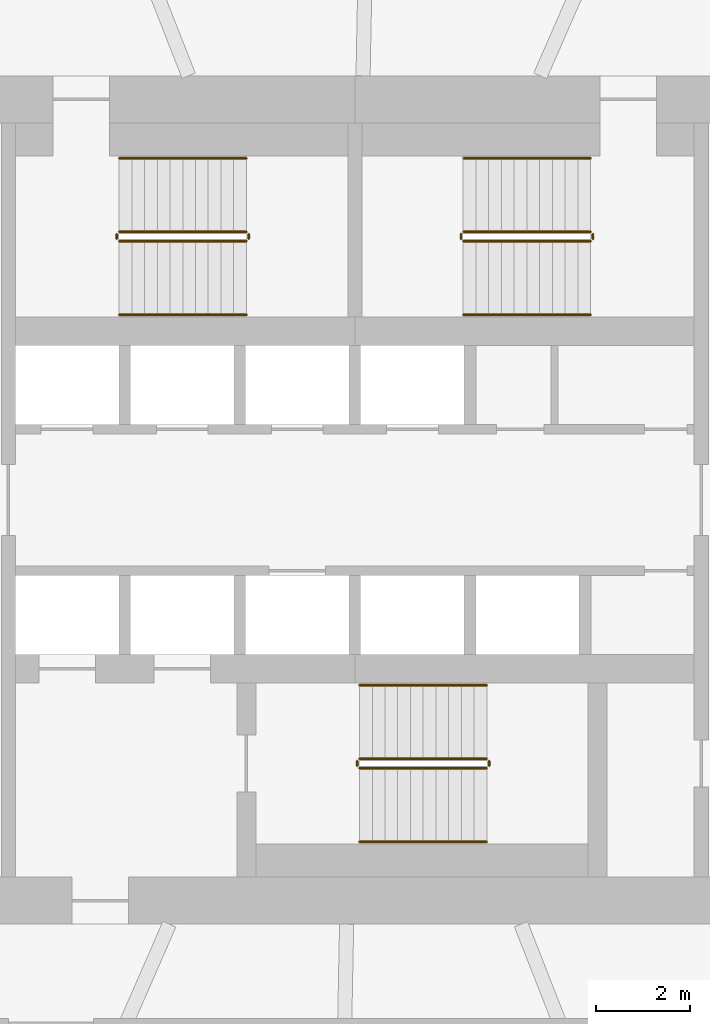
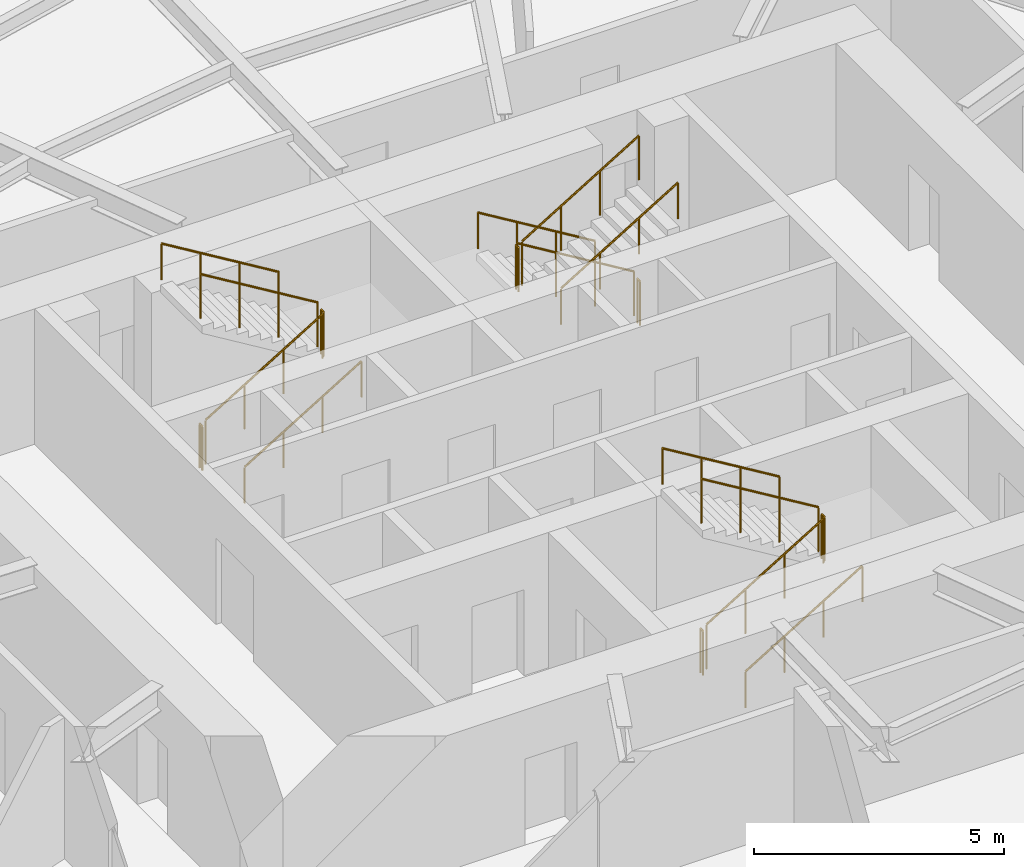
# One storey, part 13 of 14: 18 railings.
"""IFC4 building model written with IfcOpenShell, lengths in metres."""

import ifcopenshell
import ifcopenshell.guid

model = None  # the IFC model being written
_history = None  # IfcOwnerHistory: only IFC2X3 demands one
_inside = {}  # id of a spatial element -> (the spatial element, [elements in it])
_under = {}  # id of a project, library or spatial element -> (it, [spatial elements below it])
_declared = {}  # id of a project -> (the project, [libraries it declares])
_typed = {}  # id of a type object -> (the type object, [elements of that type])
_made_of = {}  # id of a material, layer set ... -> (it, [elements and type objects made of it])


def new_model(schema):
    """Start an empty IFC model of exactly this schema.

    Asked for "IFC4X3", IfcOpenShell would pick the latest addendum, in which some entities
    have other attributes; the version numbers below select the first issue.
    IFC2X3 requires an IfcOwnerHistory on every rooted entity: one is made here for all.
    """
    global model, _history
    if schema == "IFC4X3":
        model = ifcopenshell.file(schema_version=(4, 3, 0, 0))
    else:
        model = ifcopenshell.file(schema=schema)
    _inside.clear()
    _under.clear()
    _declared.clear()
    _typed.clear()
    _made_of.clear()
    _history = None
    if model.schema == "IFC2X3":
        org = make("IfcOrganization", Name="unknown")
        user = make(
            "IfcPersonAndOrganization",
            ThePerson=make("IfcPerson", FamilyName="unknown"),
            TheOrganization=org,
        )
        app = make(
            "IfcApplication",
            ApplicationDeveloper=org,
            Version="unknown",
            ApplicationFullName="unknown",
            ApplicationIdentifier="unknown",
        )
        _history = make(
            "IfcOwnerHistory",
            OwningUser=user,
            OwningApplication=app,
            ChangeAction="ADDED",
            CreationDate=0,
        )
    return model


def make(cls, **values):
    """One entity of the class cls with the attributes given. An attribute that is None is left unset."""
    return model.create_entity(
        cls, **{name: value for name, value in values.items() if value is not None}
    )


def rooted(cls, **values):
    """An entity with a GlobalId (a new one), such as an element, a storey or a relation."""
    return make(cls, GlobalId=ifcopenshell.guid.new(), OwnerHistory=_history, **values)


def si_unit(unit_type, name, prefix=None):
    """IfcSIUnit, for example si_unit("LENGTHUNIT", "METRE", prefix="MILLI")."""
    return make("IfcSIUnit", UnitType=unit_type, Prefix=prefix, Name=name)


def assignment(units):
    """IfcUnitAssignment: the units of a project."""
    return None if units is None else make("IfcUnitAssignment", Units=units)


def point(xyz):
    """IfcCartesianPoint."""
    return None if xyz is None else make("IfcCartesianPoint", Coordinates=xyz)


def direction(xyz):
    """IfcDirection."""
    return None if xyz is None else make("IfcDirection", DirectionRatios=xyz)


def frame(location, z_axis=None, x_axis=None):
    """IfcAxis2Placement3D, a coordinate frame: its origin and axes. An axis left out is left unset."""
    return make(
        "IfcAxis2Placement3D",
        Location=point(location),
        Axis=direction(z_axis),
        RefDirection=direction(x_axis),
    )


def frame_2d(location, x_axis=None):
    """IfcAxis2Placement2D, a coordinate frame in the plane: its origin and x axis."""
    return make(
        "IfcAxis2Placement2D", Location=point(location), RefDirection=direction(x_axis)
    )


def origin():
    """The frame at (0, 0, 0) with its axes left unset."""
    return frame((0.0, 0.0, 0.0))


def origin_2d():
    """The frame at (0, 0) in the plane with its x axis left unset."""
    return frame_2d((0.0, 0.0))


def place(relative_to, where):
    """IfcLocalPlacement: puts the frame where relative to a parent placement (None: the world)."""
    return make(
        "IfcLocalPlacement", PlacementRelTo=relative_to, RelativePlacement=where
    )


def context(
    kind, dimensions, precision=None, world=None, true_north=None, identifier=None
):
    """IfcGeometricRepresentationContext, for example the 3D "Model" context."""
    return make(
        "IfcGeometricRepresentationContext",
        ContextIdentifier=identifier,
        ContextType=kind,
        CoordinateSpaceDimension=dimensions,
        Precision=precision,
        WorldCoordinateSystem=world,
        TrueNorth=true_north,
    )


def subcontext(parent, identifier, kind, view, scale=None):
    """IfcGeometricRepresentationSubContext, for example "Body" below "Model"."""
    return make(
        "IfcGeometricRepresentationSubContext",
        ContextIdentifier=identifier,
        ContextType=kind,
        ParentContext=parent,
        TargetScale=scale,
        TargetView=view,
    )


def project(units=None, contexts=None):
    """IfcProject with its units and contexts."""
    return rooted(
        "IfcProject",
        Name="project",
        RepresentationContexts=contexts,
        UnitsInContext=assignment(units),
    )


def spatial(cls, under=None, at=None, **own):
    """A site, building, storey or space (cls), placed at a placement, below another one or the project."""
    s = rooted(cls, ObjectPlacement=at, **own)
    if under is not None:
        _under.setdefault(under.id(), (under, []))[1].append(s)
    return s


def profile(cls, at=None, kind="AREA", **sizes):
    """A parametric profile (cls). Its sizes go by their IFC names, for example OverallWidth=200.0."""
    return make(cls, ProfileType=kind, Position=at, **sizes)


def circle(**sizes):
    """IfcCircleProfileDef."""
    return profile("IfcCircleProfileDef", **sizes)


def extrude(swept, where, along, depth):
    """IfcExtrudedAreaSolid: the profile swept, set in the frame where, extruded along a direction by depth."""
    return make(
        "IfcExtrudedAreaSolid",
        SweptArea=swept,
        Position=where,
        ExtrudedDirection=direction(along),
        Depth=depth,
    )


def shape(context_of_items, identifier, shape_type, items):
    """IfcShapeRepresentation: the items that make up one representation, for example the "Body"."""
    return make(
        "IfcShapeRepresentation",
        ContextOfItems=context_of_items,
        RepresentationIdentifier=identifier,
        RepresentationType=shape_type,
        Items=items,
    )


def material(Name=None, Category=None):
    """IfcMaterial."""
    return make("IfcMaterial", Name=Name, Category=Category)


def made_of(thing, what):
    """Note that an element or type object is made of a material, layer set ...; save() writes the relation."""
    if what is not None:
        _made_of.setdefault(what.id(), (what, []))[1].append(thing)
    return thing


def type_object(cls, material=None, **own):
    """A type object (cls), such as IfcWallType, which elements share."""
    return made_of(rooted(cls, **own), material)


def element(
    cls,
    number,
    at=None,
    inside=None,
    cuts=None,
    type_object=None,
    material=None,
    context=None,
    identifier="Body",
    shape_type=None,
    held_by="IfcProductDefinitionShape",
    body=None,
    shapes=None,
    **own,
):
    """One element of the class cls, such as IfcWall. Its Tag is "e" and its number.

    at: its placement. inside: the storey or other place that contains it. cuts: it is an
    opening in that element (IfcRelVoidsElement). A single representation is given by context,
    identifier, shape_type and body (its items); several are given by shapes. held_by: the class
    of the entity that holds the representations. save() writes the other relations.
    """
    e = rooted(cls, Tag="e%d" % number, ObjectPlacement=at, **own)
    if body is not None:
        shapes = [shape(context, identifier, shape_type, body)]
    if shapes is not None:
        e.Representation = make(held_by, Representations=shapes)
    if inside is not None:
        _inside.setdefault(inside.id(), (inside, []))[1].append(e)
    if cuts is not None:
        rooted(
            "IfcRelVoidsElement", RelatingBuildingElement=cuts, RelatedOpeningElement=e
        )
    if type_object is not None:
        _typed.setdefault(type_object.id(), (type_object, []))[1].append(e)
    return made_of(e, material)


def aggregate(whole, parts):
    """IfcRelAggregates: a whole, such as a stair, and the parts it consists of."""
    return rooted("IfcRelAggregates", RelatingObject=whole, RelatedObjects=parts)


def save(model, path):
    """Write the relations noted so far, then the file.

    IfcRelAggregates (storeys below a building ...), IfcRelContainedInSpatialStructure (elements
    in a storey), IfcRelDefinesByType, IfcRelAssociatesMaterial and IfcRelDeclares: one each for
    every whole, place, type object, material and project.
    """
    for whole, parts in _under.values():
        aggregate(whole, parts)
    for where, things in _inside.values():
        rooted(
            "IfcRelContainedInSpatialStructure",
            RelatedElements=things,
            RelatingStructure=where,
        )
    for kind, things in _typed.values():
        rooted("IfcRelDefinesByType", RelatedObjects=things, RelatingType=kind)
    for what, things in _made_of.values():
        rooted("IfcRelAssociatesMaterial", RelatedObjects=things, RelatingMaterial=what)
    for by, libraries in _declared.values():
        rooted("IfcRelDeclares", RelatingContext=by, RelatedDefinitions=libraries)
    model.write(path)


model = new_model("IFC4")

# Units and contexts
model_context = context("Model", 3, precision=1e-05, world=origin(), true_north=direction((0.0, 1.0)))
body_context = subcontext(model_context, "Body", "Model", "MODEL_VIEW")
ifc_project = project(units=[si_unit("LENGTHUNIT", "METRE"), si_unit("AREAUNIT", "SQUARE_METRE"), si_unit("VOLUMEUNIT", "CUBIC_METRE"), si_unit("PLANEANGLEUNIT", "RADIAN"), si_unit("MASSUNIT", "GRAM", prefix="KILO")], contexts=[model_context])

# Site, building, storey
site_placement = place(None, origin())
site = spatial("IfcSite", under=ifc_project, at=site_placement, CompositionType="ELEMENT")
building_placement = place(site_placement, origin())
building = spatial("IfcBuilding", under=site, at=building_placement, Name="Vermilion Reach Broadcast Tower", CompositionType="ELEMENT")
storey_placement = place(building_placement, frame((0.0, 0.0, 157.800048828125)))
storey = spatial("IfcBuildingStorey", under=building, at=storey_placement, Name="L37", CompositionType="ELEMENT", Elevation=157.800048828125)

# Railings
ifc_material_1 = material(Name="Stainless steel", Category="steel")
railing_type_1 = type_object("IfcRailingType", Name="Stair guard 1100", PredefinedType="GUARDRAIL", material=ifc_material_1)
railing_1_placement = place(storey_placement, frame((-11.0, 5.489990234375, 0.16357421875)))
element("IfcRailing", 1, at=railing_1_placement, inside=storey, type_object=railing_type_1, Name="L37 ST1 stair guard 1", PredefinedType="GUARDRAIL", context=body_context, shape_type="SweptSolid", body=[
    extrude(circle(Radius=0.02392578125, at=origin_2d()), frame((0.0, 0.0, 1.076171875), z_axis=(0.855178096276, 0.0, 0.518334277904), x_axis=(0.0, 1.0, 0.0)), (0.0, 0.0, 1.0), 3.1572265625),
    extrude(circle(Radius=0.02099609375, at=origin_2d()), origin(), (0.0, 0.0, 1.0), 1.052001953125),
    extrude(circle(Radius=0.02099609375, at=origin_2d()), frame((0.89990234375, 0.0, 0.54541015625)), (0.0, 0.0, 1.0), 1.052001953125),
    extrude(circle(Radius=0.02099609375, at=origin_2d()), frame((1.800048828125, 0.0, 1.091064453125)), (0.0, 0.0, 1.0), 1.052001953125),
    extrude(circle(Radius=0.02099609375, at=origin_2d()), frame((2.699951171875, 0.0, 1.636474609375)), (0.0, 0.0, 1.0), 1.052001953125),
])
railing_2_placement = place(storey_placement, frame((-8.25, 5.5400390625, 1.800048828125)))
element("IfcRailing", 2, at=railing_2_placement, inside=storey, type_object=railing_type_1, Name="L37 ST1 stair guard 2", PredefinedType="GUARDRAIL", context=body_context, shape_type="SweptSolid", body=[
    extrude(circle(Radius=0.02392578125, at=origin_2d()), frame((0.0, 0.0, 1.076171875), z_axis=(0.0, 1.0, 0.0), x_axis=(-1.0, 0.0, 0.0)), (0.0, 0.0, 1.0), 0.099853515625),
    extrude(circle(Radius=0.02099609375, at=origin_2d()), origin(), (0.0, 0.0, 1.0), 1.052001953125),
    extrude(circle(Radius=0.02099609375, at=origin_2d()), frame((0.0, 0.099853515625, 0.0)), (0.0, 0.0, 1.0), 1.052001953125),
])
railing_3_placement = place(storey_placement, frame((-8.300048828125, 5.68994140625, 1.963623046875)))
element("IfcRailing", 3, at=railing_3_placement, inside=storey, type_object=railing_type_1, Name="L37 ST1 stair guard 3", PredefinedType="GUARDRAIL", context=body_context, shape_type="SweptSolid", body=[
    extrude(circle(Radius=0.02392578125, at=origin_2d()), frame((0.0, 0.0, 1.076171875), z_axis=(-0.855212373127, 0.0, 0.518277721738), x_axis=(0.0, -1.0, 0.0)), (0.0, 0.0, 1.0), 3.156982421875),
    extrude(circle(Radius=0.02099609375, at=origin_2d()), origin(), (0.0, 0.0, 1.0), 1.052001953125),
    extrude(circle(Radius=0.02099609375, at=origin_2d()), frame((-0.89990234375, 0.0, 0.54541015625)), (0.0, 0.0, 1.0), 1.052001953125),
    extrude(circle(Radius=0.02099609375, at=origin_2d()), frame((-1.800048828125, 0.0, 1.0908203125)), (0.0, 0.0, 1.0), 1.052001953125),
    extrude(circle(Radius=0.02099609375, at=origin_2d()), frame((-2.699951171875, 0.0, 1.63623046875)), (0.0, 0.0, 1.0), 1.052001953125),
])
railing_4_placement = place(storey_placement, frame((-11.050048828125, 5.5400390625, 0.0)))
element("IfcRailing", 4, at=railing_4_placement, inside=storey, type_object=railing_type_1, Name="L37 ST1 stair guard 4", PredefinedType="GUARDRAIL", context=body_context, shape_type="SweptSolid", body=[
    extrude(circle(Radius=0.02392578125, at=origin_2d()), frame((0.0, 0.0, 1.076171875), z_axis=(0.0, 1.0, 0.0), x_axis=(-1.0, 0.0, 0.0)), (0.0, 0.0, 1.0), 0.099853515625),
    extrude(circle(Radius=0.02099609375, at=origin_2d()), origin(), (0.0, 0.0, 1.0), 1.052001953125),
    extrude(circle(Radius=0.02099609375, at=origin_2d()), frame((0.0, 0.099853515625, 0.0)), (0.0, 0.0, 1.0), 1.052001953125),
])
railing_5_placement = place(storey_placement, frame((-1.0, 5.68994140625, 0.16357421875)))
element("IfcRailing", 5, at=railing_5_placement, inside=storey, type_object=railing_type_1, Name="L37 ST2 stair guard 1", PredefinedType="GUARDRAIL", context=body_context, shape_type="SweptSolid", body=[
    extrude(circle(Radius=0.02392578125, at=origin_2d()), frame((0.0, 0.0, 1.076171875), z_axis=(-0.855178096276, 0.0, 0.518334277904), x_axis=(0.0, -1.0, 0.0)), (0.0, 0.0, 1.0), 3.1572265625),
    extrude(circle(Radius=0.02099609375, at=origin_2d()), origin(), (0.0, 0.0, 1.0), 1.052001953125),
    extrude(circle(Radius=0.02099609375, at=origin_2d()), frame((-0.89990234375, 0.0, 0.54541015625)), (0.0, 0.0, 1.0), 1.052001953125),
    extrude(circle(Radius=0.02099609375, at=origin_2d()), frame((-1.800048828125, 0.0, 1.091064453125)), (0.0, 0.0, 1.0), 1.052001953125),
    extrude(circle(Radius=0.02099609375, at=origin_2d()), frame((-2.699951171875, 0.0, 1.636474609375)), (0.0, 0.0, 1.0), 1.052001953125),
])
railing_6_placement = place(storey_placement, frame((-3.75, 5.639892578125, 1.800048828125)))
element("IfcRailing", 6, at=railing_6_placement, inside=storey, type_object=railing_type_1, Name="L37 ST2 stair guard 2", PredefinedType="GUARDRAIL", context=body_context, shape_type="SweptSolid", body=[
    extrude(circle(Radius=0.02392578125, at=origin_2d()), frame((0.0, 0.0, 1.076171875), z_axis=(0.0, -1.0, 0.0), x_axis=(1.0, 0.0, 0.0)), (0.0, 0.0, 1.0), 0.099853515625),
    extrude(circle(Radius=0.02099609375, at=origin_2d()), origin(), (0.0, 0.0, 1.0), 1.052001953125),
    extrude(circle(Radius=0.02099609375, at=origin_2d()), frame((0.0, -0.099853515625, 0.0)), (0.0, 0.0, 1.0), 1.052001953125),
])
railing_7_placement = place(storey_placement, frame((-3.699951171875, 5.489990234375, 1.963623046875)))
element("IfcRailing", 7, at=railing_7_placement, inside=storey, type_object=railing_type_1, Name="L37 ST2 stair guard 3", PredefinedType="GUARDRAIL", context=body_context, shape_type="SweptSolid", body=[
    extrude(circle(Radius=0.02392578125, at=origin_2d()), frame((0.0, 0.0, 1.076171875), z_axis=(0.855212373127, 0.0, 0.518277721738), x_axis=(0.0, 1.0, 0.0)), (0.0, 0.0, 1.0), 3.156982421875),
    extrude(circle(Radius=0.02099609375, at=origin_2d()), origin(), (0.0, 0.0, 1.0), 1.052001953125),
    extrude(circle(Radius=0.02099609375, at=origin_2d()), frame((0.89990234375, 0.0, 0.54541015625)), (0.0, 0.0, 1.0), 1.052001953125),
    extrude(circle(Radius=0.02099609375, at=origin_2d()), frame((1.800048828125, 0.0, 1.0908203125)), (0.0, 0.0, 1.0), 1.052001953125),
    extrude(circle(Radius=0.02099609375, at=origin_2d()), frame((2.699951171875, 0.0, 1.63623046875)), (0.0, 0.0, 1.0), 1.052001953125),
])
railing_8_placement = place(storey_placement, frame((-0.949951171875, 5.639892578125, 0.0)))
element("IfcRailing", 8, at=railing_8_placement, inside=storey, type_object=railing_type_1, Name="L37 ST2 stair guard 4", PredefinedType="GUARDRAIL", context=body_context, shape_type="SweptSolid", body=[
    extrude(circle(Radius=0.02392578125, at=origin_2d()), frame((0.0, 0.0, 1.076171875), z_axis=(0.0, -1.0, 0.0), x_axis=(1.0, 0.0, 0.0)), (0.0, 0.0, 1.0), 0.099853515625),
    extrude(circle(Radius=0.02099609375, at=origin_2d()), origin(), (0.0, 0.0, 1.0), 1.052001953125),
    extrude(circle(Radius=0.02099609375, at=origin_2d()), frame((0.0, -0.099853515625, 0.0)), (0.0, 0.0, 1.0), 1.052001953125),
])
railing_9_placement = place(storey_placement, frame((-5.89990234375, -5.68994140625, 0.16357421875)))
element("IfcRailing", 9, at=railing_9_placement, inside=storey, type_object=railing_type_1, Name="L37 ST3 stair guard 1", PredefinedType="GUARDRAIL", context=body_context, shape_type="SweptSolid", body=[
    extrude(circle(Radius=0.02392578125, at=origin_2d()), frame((0.0, 0.0, 1.076171875), z_axis=(0.855178096276, 0.0, 0.518334277904), x_axis=(0.0, 1.0, 0.0)), (0.0, 0.0, 1.0), 3.1572265625),
    extrude(circle(Radius=0.02099609375, at=origin_2d()), origin(), (0.0, 0.0, 1.0), 1.052001953125),
    extrude(circle(Radius=0.02099609375, at=origin_2d()), frame((0.89990234375, 0.0, 0.54541015625)), (0.0, 0.0, 1.0), 1.052001953125),
    extrude(circle(Radius=0.02099609375, at=origin_2d()), frame((1.800048828125, 0.0, 1.091064453125)), (0.0, 0.0, 1.0), 1.052001953125),
    extrude(circle(Radius=0.02099609375, at=origin_2d()), frame((2.699951171875, 0.0, 1.636474609375)), (0.0, 0.0, 1.0), 1.052001953125),
])
railing_10_placement = place(storey_placement, frame((-3.14990234375, -5.639892578125, 1.800048828125)))
element("IfcRailing", 10, at=railing_10_placement, inside=storey, type_object=railing_type_1, Name="L37 ST3 stair guard 2", PredefinedType="GUARDRAIL", context=body_context, shape_type="SweptSolid", body=[
    extrude(circle(Radius=0.02392578125, at=origin_2d()), frame((0.0, 0.0, 1.076171875), z_axis=(0.0, 1.0, 0.0), x_axis=(-1.0, 0.0, 0.0)), (0.0, 0.0, 1.0), 0.099853515625),
    extrude(circle(Radius=0.02099609375, at=origin_2d()), origin(), (0.0, 0.0, 1.0), 1.052001953125),
    extrude(circle(Radius=0.02099609375, at=origin_2d()), frame((0.0, 0.099853515625, 0.0)), (0.0, 0.0, 1.0), 1.052001953125),
])
railing_11_placement = place(storey_placement, frame((-3.199951171875, -5.489990234375, 1.963623046875)))
element("IfcRailing", 11, at=railing_11_placement, inside=storey, type_object=railing_type_1, Name="L37 ST3 stair guard 3", PredefinedType="GUARDRAIL", context=body_context, shape_type="SweptSolid", body=[
    extrude(circle(Radius=0.02392578125, at=origin_2d()), frame((0.0, 0.0, 1.076171875), z_axis=(-0.855212373127, 0.0, 0.518277721738), x_axis=(0.0, -1.0, 0.0)), (0.0, 0.0, 1.0), 3.156982421875),
    extrude(circle(Radius=0.02099609375, at=origin_2d()), origin(), (0.0, 0.0, 1.0), 1.052001953125),
    extrude(circle(Radius=0.02099609375, at=origin_2d()), frame((-0.89990234375, 0.0, 0.54541015625)), (0.0, 0.0, 1.0), 1.052001953125),
    extrude(circle(Radius=0.02099609375, at=origin_2d()), frame((-1.800048828125, 0.0, 1.0908203125)), (0.0, 0.0, 1.0), 1.052001953125),
    extrude(circle(Radius=0.02099609375, at=origin_2d()), frame((-2.699951171875, 0.0, 1.63623046875)), (0.0, 0.0, 1.0), 1.052001953125),
])
railing_12_placement = place(storey_placement, frame((-5.949951171875, -5.639892578125, 0.0)))
element("IfcRailing", 12, at=railing_12_placement, inside=storey, type_object=railing_type_1, Name="L37 ST3 stair guard 4", PredefinedType="GUARDRAIL", context=body_context, shape_type="SweptSolid", body=[
    extrude(circle(Radius=0.02392578125, at=origin_2d()), frame((0.0, 0.0, 1.076171875), z_axis=(0.0, 1.0, 0.0), x_axis=(-1.0, 0.0, 0.0)), (0.0, 0.0, 1.0), 0.099853515625),
    extrude(circle(Radius=0.02099609375, at=origin_2d()), origin(), (0.0, 0.0, 1.0), 1.052001953125),
    extrude(circle(Radius=0.02099609375, at=origin_2d()), frame((0.0, 0.099853515625, 0.0)), (0.0, 0.0, 1.0), 1.052001953125),
])
ifc_material_2 = material(Name="Stainless steel", Category="steel")
railing_type_2 = type_object("IfcRailingType", Name="Stair handrail", PredefinedType="HANDRAIL", material=ifc_material_2)
railing_13_placement = place(storey_placement, frame((-11.0, 3.929931640625, 0.16357421875)))
element("IfcRailing", 13, at=railing_13_placement, inside=storey, type_object=railing_type_2, Name="L37 ST1 stair handrail 1", PredefinedType="HANDRAIL", context=body_context, shape_type="SweptSolid", body=[
    extrude(circle(Radius=0.02392578125, at=origin_2d()), frame((0.0, 0.0, 0.8759765625), z_axis=(0.855178096276, 0.0, 0.518334277904), x_axis=(0.0, 1.0, 0.0)), (0.0, 0.0, 1.0), 3.1572265625),
    extrude(circle(Radius=0.02099609375, at=origin_2d()), origin(), (0.0, 0.0, 1.0), 0.851806640625),
    extrude(circle(Radius=0.02099609375, at=origin_2d()), frame((0.89990234375, 0.0, 0.54541015625)), (0.0, 0.0, 1.0), 0.851806640625),
    extrude(circle(Radius=0.02099609375, at=origin_2d()), frame((1.800048828125, 0.0, 1.091064453125)), (0.0, 0.0, 1.0), 0.851806640625),
    extrude(circle(Radius=0.02099609375, at=origin_2d()), frame((2.699951171875, 0.0, 1.636474609375)), (0.0, 0.0, 1.0), 0.851806640625),
])
railing_14_placement = place(storey_placement, frame((-8.300048828125, 7.25, 1.963623046875)))
element("IfcRailing", 14, at=railing_14_placement, inside=storey, type_object=railing_type_2, Name="L37 ST1 stair handrail 2", PredefinedType="HANDRAIL", context=body_context, shape_type="SweptSolid", body=[
    extrude(circle(Radius=0.02392578125, at=origin_2d()), frame((0.0, 0.0, 0.8759765625), z_axis=(-0.855212373127, 0.0, 0.518277721738), x_axis=(0.0, -1.0, 0.0)), (0.0, 0.0, 1.0), 3.156982421875),
    extrude(circle(Radius=0.02099609375, at=origin_2d()), origin(), (0.0, 0.0, 1.0), 0.851806640625),
    extrude(circle(Radius=0.02099609375, at=origin_2d()), frame((-0.89990234375, 0.0, 0.54541015625)), (0.0, 0.0, 1.0), 0.851806640625),
    extrude(circle(Radius=0.02099609375, at=origin_2d()), frame((-1.800048828125, 0.0, 1.0908203125)), (0.0, 0.0, 1.0), 0.851806640625),
    extrude(circle(Radius=0.02099609375, at=origin_2d()), frame((-2.699951171875, 0.0, 1.63623046875)), (0.0, 0.0, 1.0), 0.851806640625),
])
railing_15_placement = place(storey_placement, frame((-1.0, 7.25, 0.16357421875)))
element("IfcRailing", 15, at=railing_15_placement, inside=storey, type_object=railing_type_2, Name="L37 ST2 stair handrail 1", PredefinedType="HANDRAIL", context=body_context, shape_type="SweptSolid", body=[
    extrude(circle(Radius=0.02392578125, at=origin_2d()), frame((0.0, 0.0, 0.8759765625), z_axis=(-0.855178096276, 0.0, 0.518334277904), x_axis=(0.0, -1.0, 0.0)), (0.0, 0.0, 1.0), 3.1572265625),
    extrude(circle(Radius=0.02099609375, at=origin_2d()), origin(), (0.0, 0.0, 1.0), 0.851806640625),
    extrude(circle(Radius=0.02099609375, at=origin_2d()), frame((-0.89990234375, 0.0, 0.54541015625)), (0.0, 0.0, 1.0), 0.851806640625),
    extrude(circle(Radius=0.02099609375, at=origin_2d()), frame((-1.800048828125, 0.0, 1.091064453125)), (0.0, 0.0, 1.0), 0.851806640625),
    extrude(circle(Radius=0.02099609375, at=origin_2d()), frame((-2.699951171875, 0.0, 1.636474609375)), (0.0, 0.0, 1.0), 0.851806640625),
])
railing_16_placement = place(storey_placement, frame((-3.699951171875, 3.929931640625, 1.963623046875)))
element("IfcRailing", 16, at=railing_16_placement, inside=storey, type_object=railing_type_2, Name="L37 ST2 stair handrail 2", PredefinedType="HANDRAIL", context=body_context, shape_type="SweptSolid", body=[
    extrude(circle(Radius=0.02392578125, at=origin_2d()), frame((0.0, 0.0, 0.8759765625), z_axis=(0.855212373127, 0.0, 0.518277721738), x_axis=(0.0, 1.0, 0.0)), (0.0, 0.0, 1.0), 3.156982421875),
    extrude(circle(Radius=0.02099609375, at=origin_2d()), origin(), (0.0, 0.0, 1.0), 0.851806640625),
    extrude(circle(Radius=0.02099609375, at=origin_2d()), frame((0.89990234375, 0.0, 0.54541015625)), (0.0, 0.0, 1.0), 0.851806640625),
    extrude(circle(Radius=0.02099609375, at=origin_2d()), frame((1.800048828125, 0.0, 1.0908203125)), (0.0, 0.0, 1.0), 0.851806640625),
    extrude(circle(Radius=0.02099609375, at=origin_2d()), frame((2.699951171875, 0.0, 1.63623046875)), (0.0, 0.0, 1.0), 0.851806640625),
])
railing_17_placement = place(storey_placement, frame((-5.89990234375, -7.25, 0.16357421875)))
element("IfcRailing", 17, at=railing_17_placement, inside=storey, type_object=railing_type_2, Name="L37 ST3 stair handrail 1", PredefinedType="HANDRAIL", context=body_context, shape_type="SweptSolid", body=[
    extrude(circle(Radius=0.02392578125, at=origin_2d()), frame((0.0, 0.0, 0.8759765625), z_axis=(0.855178096276, 0.0, 0.518334277904), x_axis=(0.0, 1.0, 0.0)), (0.0, 0.0, 1.0), 3.1572265625),
    extrude(circle(Radius=0.02099609375, at=origin_2d()), origin(), (0.0, 0.0, 1.0), 0.851806640625),
    extrude(circle(Radius=0.02099609375, at=origin_2d()), frame((0.89990234375, 0.0, 0.54541015625)), (0.0, 0.0, 1.0), 0.851806640625),
    extrude(circle(Radius=0.02099609375, at=origin_2d()), frame((1.800048828125, 0.0, 1.091064453125)), (0.0, 0.0, 1.0), 0.851806640625),
    extrude(circle(Radius=0.02099609375, at=origin_2d()), frame((2.699951171875, 0.0, 1.636474609375)), (0.0, 0.0, 1.0), 0.851806640625),
])
railing_18_placement = place(storey_placement, frame((-3.199951171875, -3.929931640625, 1.963623046875)))
element("IfcRailing", 18, at=railing_18_placement, inside=storey, type_object=railing_type_2, Name="L37 ST3 stair handrail 2", PredefinedType="HANDRAIL", context=body_context, shape_type="SweptSolid", body=[
    extrude(circle(Radius=0.02392578125, at=origin_2d()), frame((0.0, 0.0, 0.8759765625), z_axis=(-0.855212373127, 0.0, 0.518277721738), x_axis=(0.0, -1.0, 0.0)), (0.0, 0.0, 1.0), 3.156982421875),
    extrude(circle(Radius=0.02099609375, at=origin_2d()), origin(), (0.0, 0.0, 1.0), 0.851806640625),
    extrude(circle(Radius=0.02099609375, at=origin_2d()), frame((-0.89990234375, 0.0, 0.54541015625)), (0.0, 0.0, 1.0), 0.851806640625),
    extrude(circle(Radius=0.02099609375, at=origin_2d()), frame((-1.800048828125, 0.0, 1.0908203125)), (0.0, 0.0, 1.0), 0.851806640625),
    extrude(circle(Radius=0.02099609375, at=origin_2d()), frame((-2.699951171875, 0.0, 1.63623046875)), (0.0, 0.0, 1.0), 0.851806640625),
])

save(model, "model.ifc")
